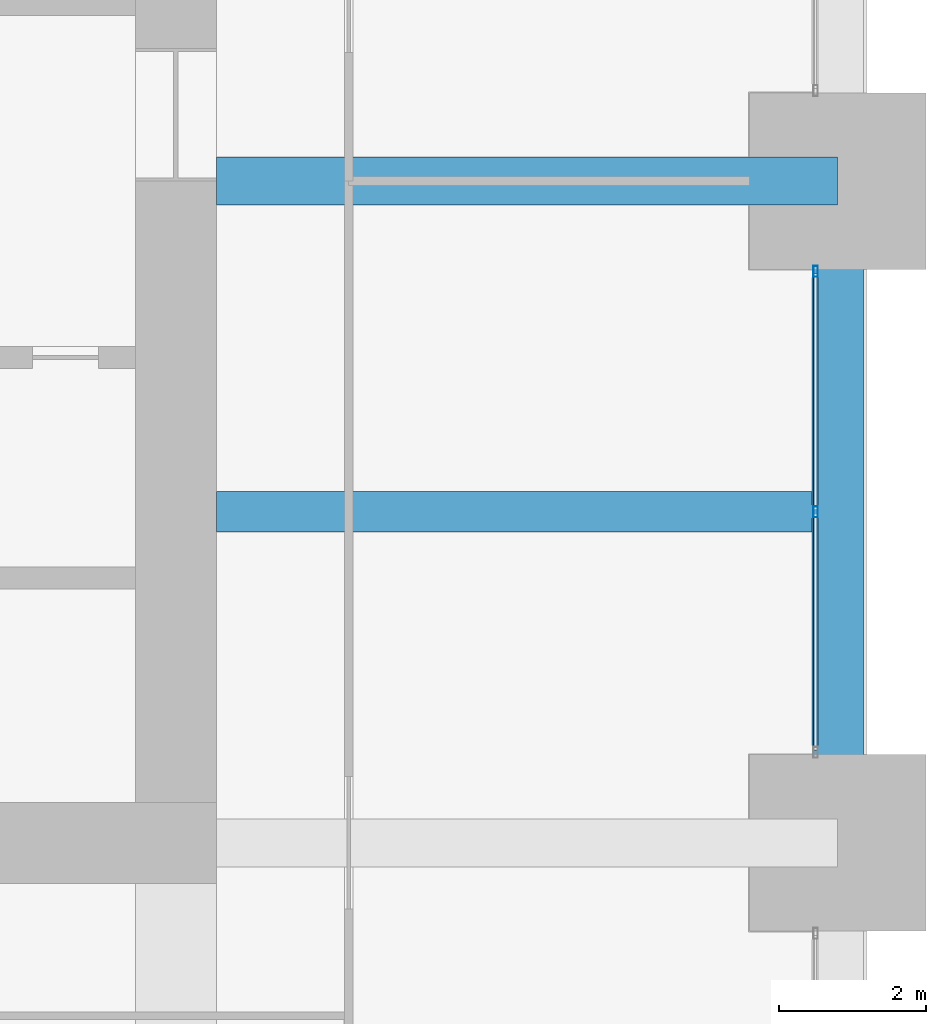
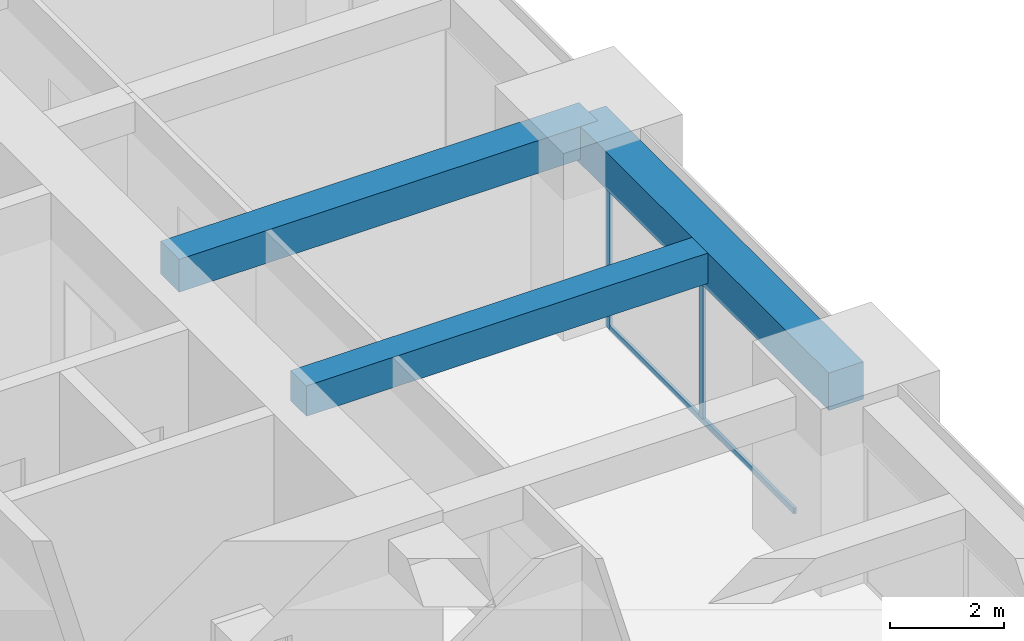
# One storey, part 18 of 33: 3 beams, 3 members, 1 element without a shape of its own.
"""IFC4 building model written with IfcOpenShell, lengths in metres."""

from ifc_helpers import new_model, si_unit, direction, frame, origin, origin_2d, place, context, subcontext, project, spatial, rectangle, hollow_rectangle, extrude, material, material_profile, profile_set, type_object, element, aggregate, save


model = new_model("IFC4")

# Units and contexts
model_context = context("Model", 3, precision=1e-05, world=origin(), true_north=direction((0.0, 1.0)))
body_context = subcontext(model_context, "Body", "Model", "MODEL_VIEW")
ifc_project = project(units=[si_unit("LENGTHUNIT", "METRE"), si_unit("AREAUNIT", "SQUARE_METRE"), si_unit("VOLUMEUNIT", "CUBIC_METRE"), si_unit("PLANEANGLEUNIT", "RADIAN"), si_unit("MASSUNIT", "GRAM", prefix="KILO")], contexts=[model_context])

# Site, building, storey
site_placement = place(None, origin())
site = spatial("IfcSite", under=ifc_project, at=site_placement, CompositionType="ELEMENT")
building_placement = place(site_placement, origin())
building = spatial("IfcBuilding", under=site, at=building_placement, Name="Zorevar Civic Tower", CompositionType="ELEMENT")
storey_placement = place(building_placement, frame((0.0, 0.0, 210.199951171875)))
storey = spatial("IfcBuildingStorey", under=building, at=storey_placement, Name="L51", CompositionType="ELEMENT", Elevation=210.199951171875)

# Beams
ifc_material_1 = material(Name="Concrete C50/60", Category="concrete")
ifc_material_profile_1 = material_profile(ifc_material_1, rectangle(XDim=0.550048828125, YDim=0.64990234375, at=origin_2d()), Name="RC 550x650")
ifc_profile_set_1 = profile_set([ifc_material_profile_1], Name="Concrete C50/60")
beam_type_1 = type_object("IfcBeamType", Name="Beam RC 550x650", PredefinedType="BEAM", material=ifc_profile_set_1)
beam_1_placement = place(storey_placement, frame((45.550048828125, 22.5, 3.425048828125), z_axis=(1.0, 0.0, 0.0), x_axis=(0.0, 1.0, 0.0)))
element("IfcBeam", 1, at=beam_1_placement, inside=storey, type_object=beam_type_1, Name="Secondary beam L52", PredefinedType="BEAM", context=body_context, shape_type="SweptSolid", body=[
    extrude(rectangle(XDim=0.550048828125, YDim=0.64990234375, at=origin_2d()), origin(), (0.0, 0.0, 1.0), 8.099853515625),
])
ifc_material_2 = material(Name="Concrete C50/60", Category="concrete")
ifc_material_profile_2 = material_profile(ifc_material_2, rectangle(XDim=0.64990234375, YDim=0.699951171875, at=origin_2d()), Name="RC 650x700")
ifc_profile_set_2 = profile_set([ifc_material_profile_2], Name="Concrete C50/60")
beam_type_2 = type_object("IfcBeamType", Name="Beam RC 650x700", PredefinedType="BEAM", material=ifc_profile_set_2)
beam_2_placement = place(storey_placement, frame((45.550048828125, 27.0, 3.400146484375), z_axis=(1.0, 0.0, 0.0), x_axis=(0.0, 1.0, 0.0)))
element("IfcBeam", 2, at=beam_2_placement, inside=storey, type_object=beam_type_2, Name="Girder L52", PredefinedType="BEAM", context=body_context, shape_type="SweptSolid", body=[
    extrude(rectangle(XDim=0.64990234375, YDim=0.699951171875, at=origin_2d()), origin(), (0.0, 0.0, 1.0), 8.449951171875),
])

# Curtain wall, members
ifc_material_3 = material(Name="Dark grey solar-control glass in black aluminium frame", Category="aluminium")
curtain_wall_type = type_object("IfcCurtainWallType", Name="Curtain wall CW4 high zone", PredefinedType="NOTDEFINED", material=ifc_material_3)
curtain_wall_placement = place(storey_placement, origin())
curtain_wall = element("IfcCurtainWall", 3, at=curtain_wall_placement, inside=storey, type_object=curtain_wall_type, Name="CW4 L51", PredefinedType="NOTDEFINED")
ifc_material_4 = material(Name="Aluminium, black anodised", Category="aluminium")
ifc_material_profile_3 = material_profile(ifc_material_4, hollow_rectangle(XDim=0.06005859375, YDim=0.14990234375, WallThickness=0.00390625, at=origin_2d()), Name="AL 150x60x4")
ifc_profile_set_3 = profile_set([ifc_material_profile_3], Name="Aluminium, black anodised")
member_type_1 = type_object("IfcMemberType", Name="CW4 mullion AL 150x60x4", PredefinedType="MULLION", material=ifc_profile_set_3)
member_1_placement = place(storey_placement, frame((53.699951171875, 22.5, 0.06005859375), z_axis=(0.0, 0.0, 1.0), x_axis=(-1.0, 0.0, 0.0)))
member_1 = element("IfcMember", 4, at=member_1_placement, type_object=member_type_1, Name="CW4 mullion 2", PredefinedType="MULLION", context=body_context, shape_type="SweptSolid", body=[
    extrude(hollow_rectangle(XDim=0.06005859375, YDim=0.14990234375, WallThickness=0.00390625, at=origin_2d()), origin(), (0.0, 0.0, 1.0), 2.889892578125),
])
member_2_placement = place(storey_placement, frame((53.699951171875, 25.77001953125, 0.0), z_axis=(0.0, 0.0, 1.0), x_axis=(-1.0, 0.0, 0.0)))
member_2 = element("IfcMember", 5, at=member_2_placement, type_object=member_type_1, Name="CW4 mullion 3", PredefinedType="MULLION", context=body_context, shape_type="SweptSolid", body=[
    extrude(hollow_rectangle(XDim=0.06005859375, YDim=0.14990234375, WallThickness=0.00390625, at=origin_2d()), origin(), (0.0, 0.0, 1.0), 2.949951171875),
])
ifc_material_5 = material(Name="Aluminium, black anodised", Category="aluminium")
ifc_material_profile_4 = material_profile(ifc_material_5, hollow_rectangle(XDim=0.06005859375, YDim=0.1201171875, WallThickness=0.0029296875, at=origin_2d()), Name="AL 120x60x3")
ifc_profile_set_4 = profile_set([ifc_material_profile_4], Name="Aluminium, black anodised")
member_type_2 = type_object("IfcMemberType", Name="CW4 transom AL 120x60x3", PredefinedType="USERDEFINED", material=ifc_profile_set_4)
member_3_placement = place(storey_placement, frame((53.699951171875, 19.260009765625, 0.030029296875), z_axis=(0.0, 1.0, 0.0), x_axis=(-1.0, 0.0, 0.0)))
member_3 = element("IfcMember", 6, at=member_3_placement, type_object=member_type_2, Name="CW4 sill transom", ObjectType="TRANSOM", PredefinedType="USERDEFINED", context=body_context, shape_type="SweptSolid", body=[
    extrude(hollow_rectangle(XDim=0.06005859375, YDim=0.1201171875, WallThickness=0.0029296875, at=origin_2d()), origin(), (0.0, 0.0, 1.0), 6.47998046875),
])
aggregate(curtain_wall, [member_1, member_2, member_3])

# Beam
ifc_material_6 = material(Name="Concrete C50/60", Category="concrete")
ifc_material_profile_5 = material_profile(ifc_material_6, rectangle(XDim=0.699951171875, YDim=0.800048828125, at=origin_2d()), Name="RC 700x800")
ifc_profile_set_5 = profile_set([ifc_material_profile_5], Name="Concrete C50/60")
beam_type_3 = type_object("IfcBeamType", Name="Edge beam RC 700x800", PredefinedType="SPANDREL", material=ifc_profile_set_5)
beam_3_placement = place(storey_placement, frame((54.0, 18.0, 3.35009765625), z_axis=(0.0, 1.0, 0.0), x_axis=(-1.0, 0.0, 0.0)))
element("IfcBeam", 7, at=beam_3_placement, inside=storey, type_object=beam_type_3, Name="Edge beam L52", PredefinedType="SPANDREL", context=body_context, shape_type="SweptSolid", body=[
    extrude(rectangle(XDim=0.699951171875, YDim=0.800048828125, at=origin_2d()), origin(), (0.0, 0.0, 1.0), 9.0),
])

save(model, "model.ifc")
